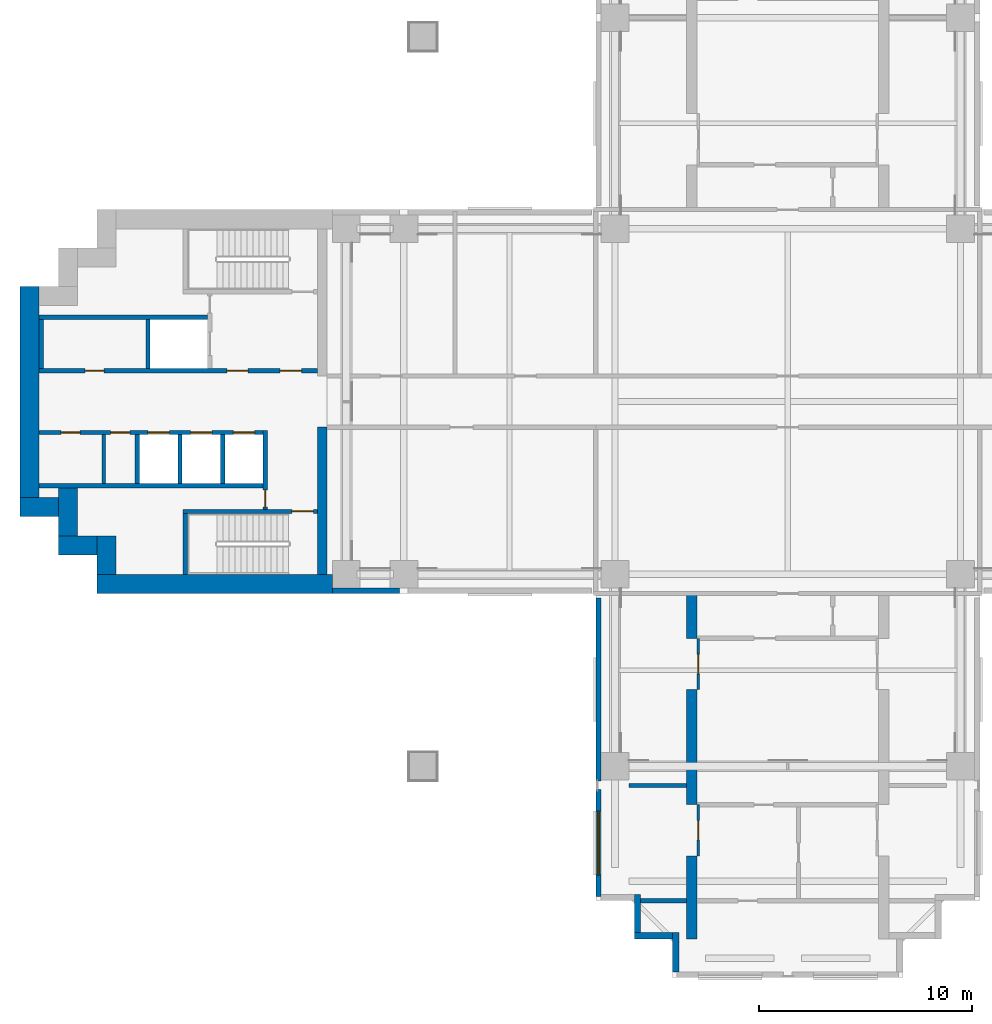
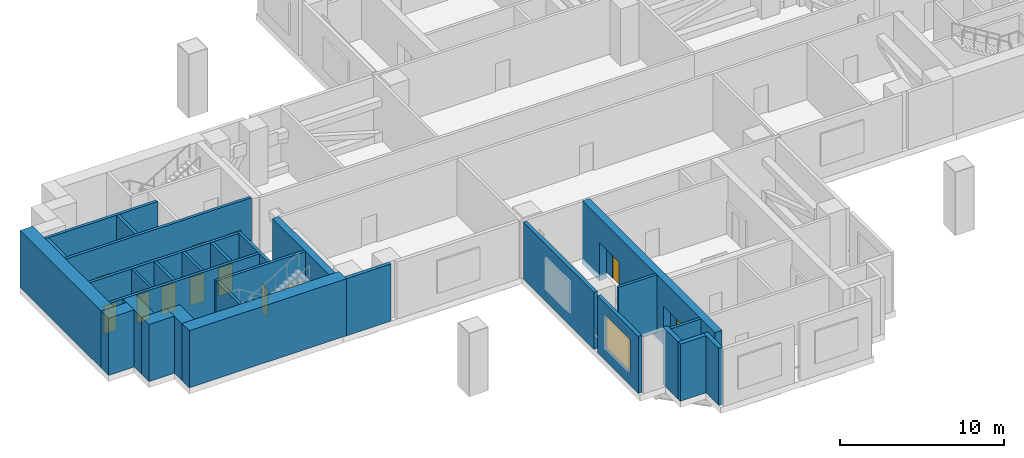
# One storey, part 3 of 10: 31 walls, 12 doors, 1 window, 13 openings.
"""IFC4 building model written with IfcOpenShell, lengths in metres."""

from ifc_helpers import new_model, si_unit, direction, frame, frame_2d, origin, place, context, subcontext, project, spatial, polyline, rectangle, outline, extrude, material, layer, layer_set, material_profile, profile_set, type_object, element, fill, save


model = new_model("IFC4")

# Units and contexts
model_context = context("Model", 3, precision=1e-05, world=origin(), true_north=direction((0.0, 1.0)))
body_context = subcontext(model_context, "Body", "Model", "MODEL_VIEW")
ifc_project = project(units=[si_unit("LENGTHUNIT", "METRE"), si_unit("AREAUNIT", "SQUARE_METRE"), si_unit("VOLUMEUNIT", "CUBIC_METRE"), si_unit("PLANEANGLEUNIT", "RADIAN"), si_unit("MASSUNIT", "GRAM", prefix="KILO")], contexts=[model_context])

# Site, building, storey
site_placement = place(None, origin())
site = spatial("IfcSite", under=ifc_project, at=site_placement, CompositionType="ELEMENT")
building_placement = place(site_placement, origin())
building = spatial("IfcBuilding", under=site, at=building_placement, Name="Perihelion Cross Residences", CompositionType="ELEMENT")
storey_placement = place(building_placement, frame((0.0, 0.0, 97.89990234375)))
storey = spatial("IfcBuildingStorey", under=building, at=storey_placement, Name="L22", CompositionType="ELEMENT", Elevation=97.89990234375)

# Walls
ifc_material_1 = material(Name="Plasterboard partition")
ifc_layer_1 = layer(ifc_material_1, 0.199951171875)
ifc_layer_set_1 = layer_set([ifc_layer_1], Name="Apartment riser wall 200")
wall_type_1 = type_object("IfcWallType", Name="Apartment riser wall 200", PredefinedType="PARTITIONING", material=ifc_layer_set_1)
wall_1_placement = place(storey_placement, frame((-4.75, -18.0, 0.0), z_axis=(0.0, 0.0, 1.0), x_axis=(-1.0, 0.0, 0.0)))
element("IfcWall", 1, at=wall_1_placement, inside=storey, type_object=wall_type_1, Name="Partition L22 W029", PredefinedType="PARTITIONING", context=body_context, shape_type="SweptSolid", body=[
    extrude(rectangle(XDim=2.699951171875, YDim=0.199951171875, at=frame_2d((1.35009765625, 0.0))), origin(), (0.0, 0.0, 1.0), 4.25),
])
wall_2_placement = place(storey_placement, frame((-4.75, -23.39990234375, 0.0), z_axis=(0.0, 0.0, 1.0), x_axis=(-1.0, 0.0, 0.0)))
element("IfcWall", 2, at=wall_2_placement, inside=storey, type_object=wall_type_1, Name="Partition L22 W030", PredefinedType="PARTITIONING", context=body_context, shape_type="SweptSolid", body=[
    extrude(rectangle(XDim=2.14990234375, YDim=0.199951171875, at=frame_2d((1.074951171875, 0.0))), origin(), (0.0, 0.0, 1.0), 4.25),
])
ifc_material_2 = material(Name="Concrete C30/37, bronze-clad", Category="concrete")
ifc_layer_2 = layer(ifc_material_2, 0.300048828125)
ifc_layer_set_2 = layer_set([ifc_layer_2], Name="Bronze-clad serration wall 300")
wall_type_2 = type_object("IfcWallType", Name="Bronze-clad serration wall 300", PredefinedType="SOLIDWALL", material=ifc_layer_set_2)
wall_3_placement = place(storey_placement, frame((-7.050048828125, -23.10009765625, 0.0), z_axis=(0.0, 0.0, 1.0), x_axis=(0.0, -1.0, 0.0)))
element("IfcWall", 3, at=wall_3_placement, inside=storey, type_object=wall_type_2, Name="Wall SR1 L22 south corner south-west 2", PredefinedType="SOLIDWALL", context=body_context, shape_type="SweptSolid", body=[
    extrude(rectangle(XDim=1.7998046875, YDim=0.300048828125, at=frame_2d((0.89990234375, 0.0))), origin(), (0.0, 0.0, 1.0), 4.25),
])
wall_4_placement = place(storey_placement, frame((-7.199951171875, -25.050048828125, 0.0), z_axis=(0.0, 0.0, 1.0), x_axis=(1.0, 0.0, 0.0)))
element("IfcWall", 4, at=wall_4_placement, inside=storey, type_object=wall_type_2, Name="Wall SR1 L22 south corner south-west 3", PredefinedType="SOLIDWALL", context=body_context, shape_type="SweptSolid", body=[
    extrude(rectangle(XDim=1.800048828125, YDim=0.300048828125, at=frame_2d((0.89990234375, 0.0))), origin(), (0.0, 0.0, 1.0), 4.25),
])
wall_5_placement = place(storey_placement, frame((-5.25, -24.89990234375, 0.0), z_axis=(0.0, 0.0, 1.0), x_axis=(0.0, -1.0, 0.0)))
element("IfcWall", 5, at=wall_5_placement, inside=storey, type_object=wall_type_2, Name="Wall SR1 L22 south corner south-west 4", PredefinedType="SOLIDWALL", context=body_context, shape_type="SweptSolid", body=[
    extrude(rectangle(XDim=1.85009765625, YDim=0.300048828125, at=frame_2d((0.925048828125, 0.0))), origin(), (0.0, 0.0, 1.0), 4.25),
])
ifc_material_3 = material(Name="Concrete C60/75", Category="concrete")
ifc_layer_3 = layer(ifc_material_3, 0.449951171875)
ifc_layer_set_3 = layer_set([ifc_layer_3], Name="Core wall, inner 450")
wall_type_3 = type_object("IfcWallType", Name="Core wall, inner 450", PredefinedType="SHEAR", material=ifc_layer_set_3)
wall_6_placement = place(storey_placement, frame((-21.824951171875, -8.10009765625, 0.0), z_axis=(0.0, 0.0, 1.0), x_axis=(0.0, 1.0, 0.0)))
element("IfcWall", 6, at=wall_6_placement, inside=storey, type_object=wall_type_3, Name="West core core wall, inner", PredefinedType="SHEAR", context=body_context, shape_type="SweptSolid", body=[
    extrude(rectangle(XDim=6.900146484375, YDim=0.449951171875, at=frame_2d((3.4501953125, 0.0))), origin(), (0.0, 0.0, 1.0), 4.25),
])
ifc_material_4 = material(Name="Concrete C60/75", Category="concrete")
ifc_layer_4 = layer(ifc_material_4, 0.89990234375)
ifc_layer_set_4 = layer_set([ifc_layer_4], Name="Core wall, outer 900")
wall_type_4 = type_object("IfcWallType", Name="Core wall, outer 900", PredefinedType="SHEAR", material=ifc_layer_set_4)
wall_7_placement = place(storey_placement, frame((-32.39990234375, -8.550048828125, 0.0), z_axis=(0.0, 0.0, 1.0), x_axis=(1.0, 0.0, 0.0)))
element("IfcWall", 7, at=wall_7_placement, inside=storey, type_object=wall_type_4, Name="West core core wall, outer", PredefinedType="SHEAR", context=body_context, shape_type="SweptSolid", body=[
    extrude(rectangle(XDim=11.0498046875, YDim=0.89990234375, at=frame_2d((5.52490234375, 0.0))), origin(), (0.0, 0.0, 1.0), 4.25),
])
for number, where, z_axis, x_axis, name in (
    (8, (-31.949951171875, -8.10009765625, 0.0), (0.0, 0.0, 1.0), (0.0, 1.0, 0.0), "West core core wall, outer"),
    (9, (-34.199951171875, -6.75, 0.0), (0.0, 0.0, 1.0), (1.0, 0.0, 0.0), "West core core wall, outer"),
):
    element("IfcWall", number, at=place(storey_placement, frame(where, z_axis=z_axis, x_axis=x_axis)), inside=storey, type_object=wall_type_4, Name=name, PredefinedType="SHEAR", context=body_context, shape_type="SweptSolid", body=[
        extrude(rectangle(XDim=1.800048828125, YDim=0.89990234375, at=frame_2d((0.89990234375, 0.0))), origin(), (0.0, 0.0, 1.0), 4.25),
    ])
wall_8_placement = place(storey_placement, frame((-33.75, -6.300048828125, 0.0), z_axis=(0.0, 0.0, 1.0), x_axis=(0.0, 1.0, 0.0)))
element("IfcWall", 10, at=wall_8_placement, inside=storey, type_object=wall_type_4, Name="West core core wall, outer", PredefinedType="SHEAR", context=body_context, shape_type="SweptSolid", body=[
    extrude(rectangle(XDim=2.25, YDim=0.89990234375, at=frame_2d((1.125, 0.0))), origin(), (0.0, 0.0, 1.0), 4.25),
])
wall_9_placement = place(storey_placement, frame((-36.0, -4.949951171875, 0.0), z_axis=(0.0, 0.0, 1.0), x_axis=(1.0, 0.0, 0.0)))
element("IfcWall", 11, at=wall_9_placement, inside=storey, type_object=wall_type_4, Name="West core core wall, outer", PredefinedType="SHEAR", context=body_context, shape_type="SweptSolid", body=[
    extrude(rectangle(XDim=1.800048828125, YDim=0.89990234375, at=frame_2d((0.89990234375, 0.0))), origin(), (0.0, 0.0, 1.0), 4.25),
])
wall_10_placement = place(storey_placement, frame((-35.550048828125, -4.5, 0.0), z_axis=(0.0, 0.0, 1.0), x_axis=(0.0, 1.0, 0.0)))
element("IfcWall", 12, at=wall_10_placement, inside=storey, type_object=wall_type_4, Name="West core core wall, outer", PredefinedType="SHEAR", context=body_context, shape_type="SweptSolid", body=[
    extrude(rectangle(XDim=9.89990234375, YDim=0.89990234375, at=frame_2d((4.949951171875, 0.0))), origin(), (0.0, 0.0, 1.0), 4.25),
])

# Wall, opening, door
ifc_material_5 = material(Name="Plasterboard partition")
ifc_layer_5 = layer(ifc_material_5, 0.1201171875)
ifc_layer_set_5 = layer_set([ifc_layer_5], Name="Infill panel 120")
wall_type_5 = type_object("IfcWallType", Name="Infill panel 120", PredefinedType="PARTITIONING", material=ifc_layer_set_5)
wall_11_placement = place(storey_placement, frame((-4.18994140625, -11.10009765625, 0.0), z_axis=(0.0, 0.0, 1.0), x_axis=(0.0, -1.0, 0.0)))
wall_11 = element("IfcWall", 13, at=wall_11_placement, inside=storey, type_object=wall_type_5, Name="Partition L22 WI07", PredefinedType="PARTITIONING", context=body_context, shape_type="SweptSolid", body=[
    extrude(rectangle(XDim=2.39990234375, YDim=0.1201171875, at=frame_2d((1.199951171875, 0.0))), origin(), (0.0, 0.0, 1.0), 2.400146484375),
])
opening_1_placement = place(wall_11_placement, frame((0.75, 0.0, 0.0)))
opening_1 = element("IfcOpeningElement", 14, at=opening_1_placement, cuts=wall_11, Name="Opening L22.A27", PredefinedType="OPENING", context=body_context, shape_type="SweptSolid", body=[
    extrude(rectangle(XDim=0.89990234375, YDim=2.10009765625, at=frame_2d((0.449951171875, 1.050048828125))), frame((0.0, 0.070068359375, 0.0), z_axis=(0.0, -1.0, 0.0), x_axis=(1.0, 0.0, 0.0)), (0.0, 0.0, 1.0), 0.14013671875),
])
ifc_material_6 = material(Name="Timber door leaf", Category="wood")
door_type_1 = type_object("IfcDoorType", Name="Interior room door 900 x 2100", OperationType="SINGLE_SWING_LEFT", PredefinedType="DOOR", material=ifc_material_6)
door_1_placement = place(opening_1_placement, origin())
door_1 = element("IfcDoor", 15, at=door_1_placement, inside=storey, type_object=door_type_1, Name="Door L22.A27", OperationType="SINGLE_SWING_LEFT", OverallHeight=2.10009765625, OverallWidth=0.89990234375, PredefinedType="DOOR", context=body_context, shape_type="SweptSolid", body=[
    extrude(rectangle(XDim=0.89990234375, YDim=2.10009765625, at=frame_2d((0.449951171875, 1.050048828125))), frame((0.0, 0.02490234375, 0.0), z_axis=(0.0, -1.0, 0.0), x_axis=(1.0, 0.0, 0.0)), (0.0, 0.0, 1.0), 0.050048828125),
])
fill(opening_1, door_1)

wall_12_placement = place(storey_placement, frame((-4.18994140625, -18.89990234375, 0.0), z_axis=(0.0, 0.0, 1.0), x_axis=(0.0, -1.0, 0.0)))
wall_12 = element("IfcWall", 16, at=wall_12_placement, inside=storey, type_object=wall_type_5, Name="Partition L22 WI08", PredefinedType="PARTITIONING", context=body_context, shape_type="SweptSolid", body=[
    extrude(rectangle(XDim=2.400146484375, YDim=0.1201171875, at=frame_2d((1.2001953125, 0.0))), origin(), (0.0, 0.0, 1.0), 2.400146484375),
])
opening_2_placement = place(wall_12_placement, frame((0.75, 0.0, 0.0)))
opening_2 = element("IfcOpeningElement", 17, at=opening_2_placement, cuts=wall_12, Name="Opening L22.A28", PredefinedType="OPENING", context=body_context, shape_type="SweptSolid", body=[
    extrude(rectangle(XDim=0.89990234375, YDim=2.10009765625, at=frame_2d((0.449951171875, 1.050048828125))), frame((0.0, 0.070068359375, 0.0), z_axis=(0.0, -1.0, 0.0), x_axis=(1.0, 0.0, 0.0)), (0.0, 0.0, 1.0), 0.14013671875),
])
door_2_placement = place(opening_2_placement, origin())
door_2 = element("IfcDoor", 18, at=door_2_placement, inside=storey, type_object=door_type_1, Name="Door L22.A28", OperationType="SINGLE_SWING_RIGHT", OverallHeight=2.10009765625, OverallWidth=0.89990234375, PredefinedType="DOOR", context=body_context, shape_type="SweptSolid", body=[
    extrude(rectangle(XDim=0.89990234375, YDim=2.10009765625, at=frame_2d((0.449951171875, 1.050048828125))), frame((0.0, 0.02490234375, 0.0), z_axis=(0.0, -1.0, 0.0), x_axis=(1.0, 0.0, 0.0)), (0.0, 0.0, 1.0), 0.050048828125),
])
fill(opening_2, door_2)

ifc_material_7 = material(Name="Concrete C50/60", Category="concrete")
ifc_layer_6 = layer(ifc_material_7, 0.199951171875)
ifc_layer_set_6 = layer_set([ifc_layer_6], Name="Lobby wall 200")
wall_type_6 = type_object("IfcWallType", Name="Lobby wall 200", PredefinedType="SOLIDWALL", material=ifc_layer_set_6)
wall_13_placement = place(storey_placement, frame((-24.5, -5.050048828125, 0.0), z_axis=(0.0, 0.0, 1.0), x_axis=(0.0, 1.0, 0.0)))
wall_13 = element("IfcWall", 19, at=wall_13_placement, inside=storey, type_object=wall_type_6, Name="West core lobby wall", PredefinedType="SOLIDWALL", context=body_context, shape_type="SweptSolid", body=[
    extrude(rectangle(XDim=3.699951171875, YDim=0.199951171875, at=frame_2d((1.85009765625, 0.0))), origin(), (0.0, 0.0, 1.0), 4.25),
])
opening_3_placement = place(wall_13_placement, frame((0.10009765625, 0.0, 0.0)))
opening_3 = element("IfcOpeningElement", 20, at=opening_3_placement, cuts=wall_13, Name="Opening L22.C21", PredefinedType="OPENING", context=body_context, shape_type="SweptSolid", body=[
    extrude(rectangle(XDim=0.800048828125, YDim=2.10009765625, at=frame_2d((0.39990234375, 1.050048828125))), frame((0.0, 0.10986328125, 0.0), z_axis=(0.0, -1.0, 0.0), x_axis=(1.0, 0.0, 0.0)), (0.0, 0.0, 1.0), 0.219970703125),
])
ifc_material_8 = material(Name="Steel, powder coated", Category="steel")
door_type_2 = type_object("IfcDoorType", Name="Riser door 800", OperationType="SINGLE_SWING_LEFT", PredefinedType="DOOR", material=ifc_material_8)
door_3_placement = place(opening_3_placement, origin())
door_3 = element("IfcDoor", 21, at=door_3_placement, inside=storey, type_object=door_type_2, Name="West core riser door", OperationType="SINGLE_SWING_LEFT", OverallHeight=2.10009765625, OverallWidth=0.800048828125, PredefinedType="DOOR", context=body_context, shape_type="SweptSolid", body=[
    extrude(rectangle(XDim=0.800048828125, YDim=2.10009765625, at=frame_2d((0.39990234375, 1.050048828125))), frame((0.0, 0.02490234375, 0.0), z_axis=(0.0, -1.0, 0.0), x_axis=(1.0, 0.0, 0.0)), (0.0, 0.0, 1.0), 0.050048828125),
])
fill(opening_3, door_3)

# Walls
ifc_material_9 = material(Name="Concrete C30/37, bronze-clad", Category="concrete")
ifc_layer_7 = layer(ifc_material_9, 0.25)
ifc_layer_set_7 = layer_set([ifc_layer_7], Name="Louvre bay wall 250")
wall_type_7 = type_object("IfcWallType", Name="Louvre bay wall 250", PredefinedType="SOLIDWALL", material=ifc_layer_set_7)
wall_14_placement = place(storey_placement, frame((-21.35009765625, -8.875, 0.0), z_axis=(0.0, 0.0, 1.0), x_axis=(1.0, 0.0, 0.0)))
element("IfcWall", 22, at=wall_14_placement, inside=storey, type_object=wall_type_7, Name="Wall FW2 L22 west side south bay 1 louvre", PredefinedType="SOLIDWALL", context=body_context, shape_type="SweptSolid", body=[
    extrude(rectangle(XDim=3.150146484375, YDim=0.25, at=frame_2d((1.5751953125, 0.0))), origin(), (0.0, 0.0, 1.0), 4.25),
])
wall_15_placement = place(storey_placement, frame((-8.875, -9.199951171875, 0.0), z_axis=(0.0, 0.0, 1.0), x_axis=(0.0, -1.0, 0.0)))
element("IfcWall", 23, at=wall_15_placement, inside=storey, type_object=wall_type_7, Name="Wall FW2 L22 south side west bay 1 louvre", PredefinedType="SOLIDWALL", context=body_context, shape_type="SweptSolid", body=[
    extrude(rectangle(XDim=8.60009765625, YDim=0.25, at=frame_2d((4.300048828125, 0.0))), origin(), (0.0, 0.0, 1.0), 4.25),
])

# Wall, opening, window
wall_16_placement = place(storey_placement, frame((-8.875, -18.199951171875, 0.0), z_axis=(0.0, 0.0, 1.0), x_axis=(0.0, -1.0, 0.0)))
wall_16 = element("IfcWall", 24, at=wall_16_placement, inside=storey, type_object=wall_type_7, Name="Wall FW2 L22 south side west bay 2 louvre", PredefinedType="SOLIDWALL", context=body_context, shape_type="SweptSolid", body=[
    extrude(rectangle(XDim=5.0, YDim=0.25, at=frame_2d((2.5, 0.0))), origin(), (0.0, 0.0, 1.0), 4.25),
])
opening_4_placement = place(wall_16_placement, frame((1.0, 0.0, 1.0)))
opening_4 = element("IfcOpeningElement", 25, at=opening_4_placement, cuts=wall_16, Name="Opening L22.W01", PredefinedType="OPENING", context=body_context, shape_type="SweptSolid", body=[
    extrude(rectangle(XDim=3.0, YDim=2.39990234375, at=frame_2d((1.5, 1.199951171875))), frame((0.0, 0.135009765625, 0.0), z_axis=(0.0, -1.0, 0.0), x_axis=(1.0, 0.0, 0.0)), (0.0, 0.0, 1.0), 0.27001953125),
])
ifc_material_10 = material(Name="Bronze anodised aluminium, louvred", Category="aluminium")
window_type = type_object("IfcWindowType", Name="Louvred vent 3000 x 2400", PartitioningType="SINGLE_PANEL", PredefinedType="WINDOW", material=ifc_material_10)
window_placement = place(opening_4_placement, origin())
window = element("IfcWindow", 26, at=window_placement, inside=storey, type_object=window_type, Name="Window L22.W01 south side west bay 2 vent", OverallHeight=2.39990234375, OverallWidth=3.0, PartitioningType="SINGLE_PANEL", PredefinedType="WINDOW", context=body_context, shape_type="SweptSolid", body=[
    extrude(rectangle(XDim=3.0, YDim=2.39990234375, at=frame_2d((1.5, 1.199951171875))), frame((0.0, 0.030029296875, 0.0), z_axis=(0.0, -1.0, 0.0), x_axis=(1.0, 0.0, 0.0)), (0.0, 0.0, 1.0), 0.06005859375),
])
fill(opening_4, window)

# Wall
ifc_material_11 = material(Name="Fire-rated board on steel stud", Category="steel")
ifc_layer_8 = layer(ifc_material_11, 0.14990234375)
ifc_layer_set_8 = layer_set([ifc_layer_8], Name="Riser wall 150")
wall_type_8 = type_object("IfcWallType", Name="Riser wall 150", PredefinedType="PARTITIONING", material=ifc_layer_set_8)
wall_17_placement = place(storey_placement, frame((-32.074951171875, -3.85009765625, 0.0), z_axis=(0.0, 0.0, 1.0), x_axis=(0.0, 1.0, 0.0)))
element("IfcWall", 27, at=wall_17_placement, inside=storey, type_object=wall_type_8, Name="West core riser wall", PredefinedType="PARTITIONING", context=body_context, shape_type="SweptSolid", body=[
    extrude(rectangle(XDim=2.300048828125, YDim=0.14990234375, at=frame_2d((1.14990234375, 0.0))), origin(), (0.0, 0.0, 1.0), 4.25),
])

# Wall, openings, doors
ifc_material_12 = material(Name="Concrete C50/60", Category="concrete")
ifc_layer_9 = layer(ifc_material_12, 0.199951171875)
ifc_layer_set_9 = layer_set([ifc_layer_9], Name="Shaft wall 200")
wall_type_9 = type_object("IfcWallType", Name="Shaft wall 200", PredefinedType="SOLIDWALL", material=ifc_layer_set_9)
wall_18_placement = place(storey_placement, frame((-35.10009765625, 1.449951171875, 0.0), z_axis=(0.0, 0.0, 1.0), x_axis=(1.0, 0.0, 0.0)))
wall_18 = element("IfcWall", 28, at=wall_18_placement, inside=storey, type_object=wall_type_9, Name="West core shaft wall", PredefinedType="SOLIDWALL", context=body_context, shape_type="SweptSolid", body=[
    extrude(rectangle(XDim=13.050048828125, YDim=0.199951171875, at=frame_2d((6.52490234375, 0.0))), origin(), (0.0, 0.0, 1.0), 4.25),
])
opening_5_placement = place(wall_18_placement, frame((11.300048828125, 0.0, 0.0)))
opening_5 = element("IfcOpeningElement", 29, at=opening_5_placement, cuts=wall_18, Name="Opening L22.C20", PredefinedType="OPENING", context=body_context, shape_type="SweptSolid", body=[
    extrude(rectangle(XDim=1.0, YDim=2.10009765625, at=frame_2d((0.5, 1.050048828125))), frame((0.0, 0.10986328125, 0.0), z_axis=(0.0, -1.0, 0.0), x_axis=(1.0, 0.0, 0.0)), (0.0, 0.0, 1.0), 0.219970703125),
])
opening_6_placement = place(wall_18_placement, frame((8.800048828125, 0.0, 0.0)))
opening_6 = element("IfcOpeningElement", 30, at=opening_6_placement, cuts=wall_18, Name="Opening L22.C22", PredefinedType="OPENING", context=body_context, shape_type="SweptSolid", body=[
    extrude(rectangle(XDim=1.0, YDim=2.10009765625, at=frame_2d((0.5, 1.050048828125))), frame((0.0, 0.10986328125, 0.0), z_axis=(0.0, -1.0, 0.0), x_axis=(1.0, 0.0, 0.0)), (0.0, 0.0, 1.0), 0.219970703125),
])
opening_7_placement = place(wall_18_placement, frame((2.14990234375, 0.0, 0.0)))
opening_7 = element("IfcOpeningElement", 31, at=opening_7_placement, cuts=wall_18, Name="Opening L22.C25", PredefinedType="OPENING", context=body_context, shape_type="SweptSolid", body=[
    extrude(rectangle(XDim=0.89990234375, YDim=2.10009765625, at=frame_2d((0.449951171875, 1.050048828125))), frame((0.0, 0.10986328125, 0.0), z_axis=(0.0, -1.0, 0.0), x_axis=(1.0, 0.0, 0.0)), (0.0, 0.0, 1.0), 0.219970703125),
])
ifc_material_13 = material(Name="Steel, powder coated", Category="steel")
door_type_3 = type_object("IfcDoorType", Name="Lobby door 1000", OperationType="SINGLE_SWING_LEFT", PredefinedType="DOOR", material=ifc_material_13)
door_4_placement = place(opening_5_placement, origin())
door_4 = element("IfcDoor", 32, at=door_4_placement, inside=storey, type_object=door_type_3, Name="West core firefighting lobby door", OperationType="SINGLE_SWING_LEFT", OverallHeight=2.10009765625, OverallWidth=1.0, PredefinedType="DOOR", context=body_context, shape_type="SweptSolid", body=[
    extrude(rectangle(XDim=1.0, YDim=2.10009765625, at=frame_2d((0.5, 1.050048828125))), frame((0.0, 0.02490234375, 0.0), z_axis=(0.0, -1.0, 0.0), x_axis=(1.0, 0.0, 0.0)), (0.0, 0.0, 1.0), 0.050048828125),
])
fill(opening_5, door_4)
door_5_placement = place(opening_6_placement, origin())
door_5 = element("IfcDoor", 33, at=door_5_placement, inside=storey, type_object=door_type_3, Name="West core firefighting lobby door", OperationType="SINGLE_SWING_LEFT", OverallHeight=2.10009765625, OverallWidth=1.0, PredefinedType="DOOR", context=body_context, shape_type="SweptSolid", body=[
    extrude(rectangle(XDim=1.0, YDim=2.10009765625, at=frame_2d((0.5, 1.050048828125))), frame((0.0, 0.02490234375, 0.0), z_axis=(0.0, -1.0, 0.0), x_axis=(1.0, 0.0, 0.0)), (0.0, 0.0, 1.0), 0.050048828125),
])
fill(opening_6, door_5)
ifc_material_14 = material(Name="Steel, powder coated", Category="steel")
door_type_4 = type_object("IfcDoorType", Name="Service room door 900", OperationType="SINGLE_SWING_LEFT", PredefinedType="DOOR", material=ifc_material_14)
door_6_placement = place(opening_7_placement, origin())
door_6 = element("IfcDoor", 34, at=door_6_placement, inside=storey, type_object=door_type_4, Name="West core service room door", OperationType="SINGLE_SWING_LEFT", OverallHeight=2.10009765625, OverallWidth=0.89990234375, PredefinedType="DOOR", context=body_context, shape_type="SweptSolid", body=[
    extrude(rectangle(XDim=0.89990234375, YDim=2.10009765625, at=frame_2d((0.449951171875, 1.050048828125))), frame((0.0, 0.02490234375, 0.0), z_axis=(0.0, -1.0, 0.0), x_axis=(1.0, 0.0, 0.0)), (0.0, 0.0, 1.0), 0.050048828125),
])
fill(opening_7, door_6)

wall_19_placement = place(storey_placement, frame((-35.10009765625, -1.449951171875, 0.0), z_axis=(0.0, 0.0, 1.0), x_axis=(1.0, 0.0, 0.0)))
wall_19 = element("IfcWall", 35, at=wall_19_placement, inside=storey, type_object=wall_type_9, Name="West core shaft wall", PredefinedType="SOLIDWALL", context=body_context, shape_type="SweptSolid", body=[
    extrude(rectangle(XDim=10.5, YDim=0.199951171875, at=frame_2d((5.25, 0.0))), origin(), (0.0, 0.0, 1.0), 4.25),
])
opening_8_placement = place(wall_19_placement, frame((9.10009765625, 0.0, 0.0)))
opening_8 = element("IfcOpeningElement", 36, at=opening_8_placement, cuts=wall_19, Name="Opening L22.C14", PredefinedType="OPENING", context=body_context, shape_type="SweptSolid", body=[
    extrude(rectangle(XDim=1.0, YDim=2.10009765625, at=frame_2d((0.5, 1.050048828125))), frame((0.0, 0.10986328125, 0.0), z_axis=(0.0, -1.0, 0.0), x_axis=(1.0, 0.0, 0.0)), (0.0, 0.0, 1.0), 0.219970703125),
])
opening_9_placement = place(wall_19_placement, frame((7.10009765625, 0.0, 0.0)))
opening_9 = element("IfcOpeningElement", 37, at=opening_9_placement, cuts=wall_19, Name="Opening L22.C16", PredefinedType="OPENING", context=body_context, shape_type="SweptSolid", body=[
    extrude(rectangle(XDim=1.0, YDim=2.10009765625, at=frame_2d((0.5, 1.050048828125))), frame((0.0, 0.10986328125, 0.0), z_axis=(0.0, -1.0, 0.0), x_axis=(1.0, 0.0, 0.0)), (0.0, 0.0, 1.0), 0.219970703125),
])
opening_10_placement = place(wall_19_placement, frame((5.10009765625, 0.0, 0.0)))
opening_10 = element("IfcOpeningElement", 38, at=opening_10_placement, cuts=wall_19, Name="Opening L22.C17", PredefinedType="OPENING", context=body_context, shape_type="SweptSolid", body=[
    extrude(rectangle(XDim=1.0, YDim=2.10009765625, at=frame_2d((0.5, 1.050048828125))), frame((0.0, 0.10986328125, 0.0), z_axis=(0.0, -1.0, 0.0), x_axis=(1.0, 0.0, 0.0)), (0.0, 0.0, 1.0), 0.219970703125),
])
opening_11_placement = place(wall_19_placement, frame((3.35009765625, 0.0, 0.0)))
opening_11 = element("IfcOpeningElement", 39, at=opening_11_placement, cuts=wall_19, Name="Opening L22.C24", PredefinedType="OPENING", context=body_context, shape_type="SweptSolid", body=[
    extrude(rectangle(XDim=0.89990234375, YDim=2.10009765625, at=frame_2d((0.449951171875, 1.050048828125))), frame((0.0, 0.10986328125, 0.0), z_axis=(0.0, -1.0, 0.0), x_axis=(1.0, 0.0, 0.0)), (0.0, 0.0, 1.0), 0.219970703125),
])
opening_12_placement = place(wall_19_placement, frame((1.02490234375, 0.0, 0.0)))
opening_12 = element("IfcOpeningElement", 40, at=opening_12_placement, cuts=wall_19, Name="Opening L22.C26", PredefinedType="OPENING", context=body_context, shape_type="SweptSolid", body=[
    extrude(rectangle(XDim=0.89990234375, YDim=2.10009765625, at=frame_2d((0.449951171875, 1.050048828125))), frame((0.0, 0.10986328125, 0.0), z_axis=(0.0, -1.0, 0.0), x_axis=(1.0, 0.0, 0.0)), (0.0, 0.0, 1.0), 0.219970703125),
])
ifc_material_15 = material(Name="Stainless steel", Category="steel")
door_type_5 = type_object("IfcDoorType", Name="Landing door 1000", OperationType="DOUBLE_DOOR_SLIDING", PredefinedType="DOOR", material=ifc_material_15)
door_7_placement = place(opening_8_placement, origin())
door_7 = element("IfcDoor", 41, at=door_7_placement, inside=storey, type_object=door_type_5, Name="Landing door, West core high-rise lift 1", OperationType="DOUBLE_DOOR_SLIDING", OverallHeight=2.10009765625, OverallWidth=1.0, PredefinedType="DOOR", context=body_context, shape_type="SweptSolid", body=[
    extrude(rectangle(XDim=1.0, YDim=2.10009765625, at=frame_2d((0.5, 1.050048828125))), frame((0.0, 0.02490234375, 0.0), z_axis=(0.0, -1.0, 0.0), x_axis=(1.0, 0.0, 0.0)), (0.0, 0.0, 1.0), 0.050048828125),
])
fill(opening_8, door_7)
door_8_placement = place(opening_9_placement, origin())
door_8 = element("IfcDoor", 42, at=door_8_placement, inside=storey, type_object=door_type_5, Name="Landing door, West core high-rise lift 2", OperationType="DOUBLE_DOOR_SLIDING", OverallHeight=2.10009765625, OverallWidth=1.0, PredefinedType="DOOR", context=body_context, shape_type="SweptSolid", body=[
    extrude(rectangle(XDim=1.0, YDim=2.10009765625, at=frame_2d((0.5, 1.050048828125))), frame((0.0, 0.02490234375, 0.0), z_axis=(0.0, -1.0, 0.0), x_axis=(1.0, 0.0, 0.0)), (0.0, 0.0, 1.0), 0.050048828125),
])
fill(opening_9, door_8)
door_9_placement = place(opening_10_placement, origin())
door_9 = element("IfcDoor", 43, at=door_9_placement, inside=storey, type_object=door_type_5, Name="Landing door, West core high-rise lift 3", OperationType="DOUBLE_DOOR_SLIDING", OverallHeight=2.10009765625, OverallWidth=1.0, PredefinedType="DOOR", context=body_context, shape_type="SweptSolid", body=[
    extrude(rectangle(XDim=1.0, YDim=2.10009765625, at=frame_2d((0.5, 1.050048828125))), frame((0.0, 0.02490234375, 0.0), z_axis=(0.0, -1.0, 0.0), x_axis=(1.0, 0.0, 0.0)), (0.0, 0.0, 1.0), 0.050048828125),
])
fill(opening_10, door_9)
door_10_placement = place(opening_11_placement, origin())
door_10 = element("IfcDoor", 44, at=door_10_placement, inside=storey, type_object=door_type_4, Name="West core service room door", OperationType="SINGLE_SWING_LEFT", OverallHeight=2.10009765625, OverallWidth=0.89990234375, PredefinedType="DOOR", context=body_context, shape_type="SweptSolid", body=[
    extrude(rectangle(XDim=0.89990234375, YDim=2.10009765625, at=frame_2d((0.449951171875, 1.050048828125))), frame((0.0, 0.02490234375, 0.0), z_axis=(0.0, -1.0, 0.0), x_axis=(1.0, 0.0, 0.0)), (0.0, 0.0, 1.0), 0.050048828125),
])
fill(opening_11, door_10)
door_11_placement = place(opening_12_placement, origin())
door_11 = element("IfcDoor", 45, at=door_11_placement, inside=storey, type_object=door_type_4, Name="West core service room door", OperationType="SINGLE_SWING_LEFT", OverallHeight=2.10009765625, OverallWidth=0.89990234375, PredefinedType="DOOR", context=body_context, shape_type="SweptSolid", body=[
    extrude(rectangle(XDim=0.89990234375, YDim=2.10009765625, at=frame_2d((0.449951171875, 1.050048828125))), frame((0.0, 0.02490234375, 0.0), z_axis=(0.0, -1.0, 0.0), x_axis=(1.0, 0.0, 0.0)), (0.0, 0.0, 1.0), 0.050048828125),
])
fill(opening_12, door_11)

# Walls
wall_20_placement = place(storey_placement, frame((-35.10009765625, 3.949951171875, 0.0), z_axis=(0.0, 0.0, 1.0), x_axis=(1.0, 0.0, 0.0)))
element("IfcWall", 46, at=wall_20_placement, inside=storey, type_object=wall_type_9, Name="West core shaft wall", PredefinedType="SOLIDWALL", context=body_context, shape_type="SweptSolid", body=[
    extrude(rectangle(XDim=7.900146484375, YDim=0.199951171875, at=frame_2d((3.9501953125, 0.0))), origin(), (0.0, 0.0, 1.0), 4.25),
])
wall_21_placement = place(storey_placement, frame((-35.10009765625, -3.949951171875, 0.0), z_axis=(0.0, 0.0, 1.0), x_axis=(1.0, 0.0, 0.0)))
element("IfcWall", 47, at=wall_21_placement, inside=storey, type_object=wall_type_9, Name="West core shaft wall", PredefinedType="SOLIDWALL", context=body_context, shape_type="SweptSolid", body=[
    extrude(rectangle(XDim=10.5, YDim=0.199951171875, at=frame_2d((5.25, 0.0))), origin(), (0.0, 0.0, 1.0), 4.25),
])
for number, where, z_axis, x_axis, name in (
    (48, (-30.0, 1.550048828125, 0.0), (0.0, 0.0, 1.0), (0.0, 1.0, 0.0), "West core shaft wall"),
    (49, (-35.0, 1.550048828125, 0.0), (0.0, 0.0, 1.0), (0.0, 1.0, 0.0), "West core shaft wall"),
    (50, (-26.5, -3.85009765625, 0.0), (0.0, 0.0, 1.0), (0.0, 1.0, 0.0), "West core shaft wall"),
    (51, (-28.5, -3.85009765625, 0.0), (0.0, 0.0, 1.0), (0.0, 1.0, 0.0), "West core shaft wall"),
    (52, (-30.5, -3.85009765625, 0.0), (0.0, 0.0, 1.0), (0.0, 1.0, 0.0), "West core shaft wall"),
):
    element("IfcWall", number, at=place(storey_placement, frame(where, z_axis=z_axis, x_axis=x_axis)), inside=storey, type_object=wall_type_9, Name=name, PredefinedType="SOLIDWALL", context=body_context, shape_type="SweptSolid", body=[
        extrude(rectangle(XDim=2.300048828125, YDim=0.199951171875, at=frame_2d((1.14990234375, 0.0))), origin(), (0.0, 0.0, 1.0), 4.25),
    ])

# Wall, opening, door
ifc_material_16 = material(Name="Concrete C50/60", Category="concrete")
ifc_layer_10 = layer(ifc_material_16, 0.199951171875)
ifc_layer_set_10 = layer_set([ifc_layer_10], Name="Stair wall 200")
wall_type_10 = type_object("IfcWallType", Name="Stair wall 200", PredefinedType="SOLIDWALL", material=ifc_layer_set_10)
wall_22_placement = place(storey_placement, frame((-28.35009765625, -5.14990234375, 0.0), z_axis=(0.0, 0.0, 1.0), x_axis=(1.0, 0.0, 0.0)))
wall_22 = element("IfcWall", 53, at=wall_22_placement, inside=storey, type_object=wall_type_10, Name="West core stair wall", PredefinedType="SOLIDWALL", context=body_context, shape_type="SweptSolid", body=[
    extrude(rectangle(XDim=6.300048828125, YDim=0.199951171875, at=frame_2d((3.14990234375, 0.0))), origin(), (0.0, 0.0, 1.0), 4.25),
])
opening_13_placement = place(wall_22_placement, frame((5.10009765625, 0.0, 0.0)))
opening_13 = element("IfcOpeningElement", 54, at=opening_13_placement, cuts=wall_22, Name="Opening L22.C18", PredefinedType="OPENING", context=body_context, shape_type="SweptSolid", body=[
    extrude(rectangle(XDim=1.0, YDim=2.10009765625, at=frame_2d((0.5, 1.050048828125))), frame((0.0, 0.10986328125, 0.0), z_axis=(0.0, -1.0, 0.0), x_axis=(1.0, 0.0, 0.0)), (0.0, 0.0, 1.0), 0.219970703125),
])
ifc_material_17 = material(Name="Steel, powder coated", Category="steel")
door_type_6 = type_object("IfcDoorType", Name="Stair door 1000", OperationType="SINGLE_SWING_LEFT", PredefinedType="DOOR", material=ifc_material_17)
door_12_placement = place(opening_13_placement, origin())
door_12 = element("IfcDoor", 55, at=door_12_placement, inside=storey, type_object=door_type_6, Name="West core stair door", OperationType="SINGLE_SWING_LEFT", OverallHeight=2.10009765625, OverallWidth=1.0, PredefinedType="DOOR", context=body_context, shape_type="SweptSolid", body=[
    extrude(rectangle(XDim=1.0, YDim=2.10009765625, at=frame_2d((0.5, 1.050048828125))), frame((0.0, 0.02490234375, 0.0), z_axis=(0.0, -1.0, 0.0), x_axis=(1.0, 0.0, 0.0)), (0.0, 0.0, 1.0), 0.050048828125),
])
fill(opening_13, door_12)

# Walls
wall_23_placement = place(storey_placement, frame((-28.25, -8.10009765625, 0.0), z_axis=(0.0, 0.0, 1.0), x_axis=(0.0, 1.0, 0.0)))
element("IfcWall", 56, at=wall_23_placement, inside=storey, type_object=wall_type_10, Name="West core stair wall", PredefinedType="SOLIDWALL", context=body_context, shape_type="SweptSolid", body=[
    extrude(rectangle(XDim=2.85009765625, YDim=0.199951171875, at=frame_2d((1.425048828125, 0.0))), origin(), (0.0, 0.0, 1.0), 4.25),
])
ifc_material_18 = material(Name="Concrete C60/75", Category="concrete")
ifc_material_profile = material_profile(ifc_material_18, outline(polyline([(0.0, 0.0), (3.89990234375, 0.0), (3.89990234375, 2.85009765625), (6.300048828125, 2.85009765625), (6.300048828125, 0.0), (11.699951171875, 0.0), (11.699951171875, 2.85009765625), (14.10009765625, 2.85009765625), (14.10009765625, 0.0), (16.199951171875, 0.0), (16.199951171875, 4.699951171875), (0.0, 4.699951171875), (0.0, 0.0)])), Name="Tip spine wall")
ifc_profile_set = profile_set([ifc_material_profile], Name="Concrete C60/75")
wall_type_11 = type_object("IfcWallType", Name="Tip spine wall 500 with 2 door openings 16200 long 4700 high concrete C60/75", PredefinedType="SHEAR", material=ifc_profile_set)
wall_24_placement = place(storey_placement, frame((-4.75, -25.199951171875, -0.449951171875), z_axis=(1.0, 0.0, 0.0), x_axis=(0.0, 1.0, 0.0)))
element("IfcWall", 57, at=wall_24_placement, inside=storey, type_object=wall_type_11, Name="Shear wall SW31 L22 south west", PredefinedType="SHEAR", context=body_context, shape_type="SweptSolid", body=[
    extrude(outline(polyline([(0.0, 0.0), (3.89990234375, 0.0), (3.89990234375, 2.85009765625), (6.300048828125, 2.85009765625), (6.300048828125, 0.0), (11.699951171875, 0.0), (11.699951171875, 2.85009765625), (14.10009765625, 2.85009765625), (14.10009765625, 0.0), (16.199951171875, 0.0), (16.199951171875, 4.699951171875), (0.0, 4.699951171875), (0.0, 0.0)])), origin(), (0.0, 0.0, 1.0), 0.5),
])

save(model, "model.ifc")
